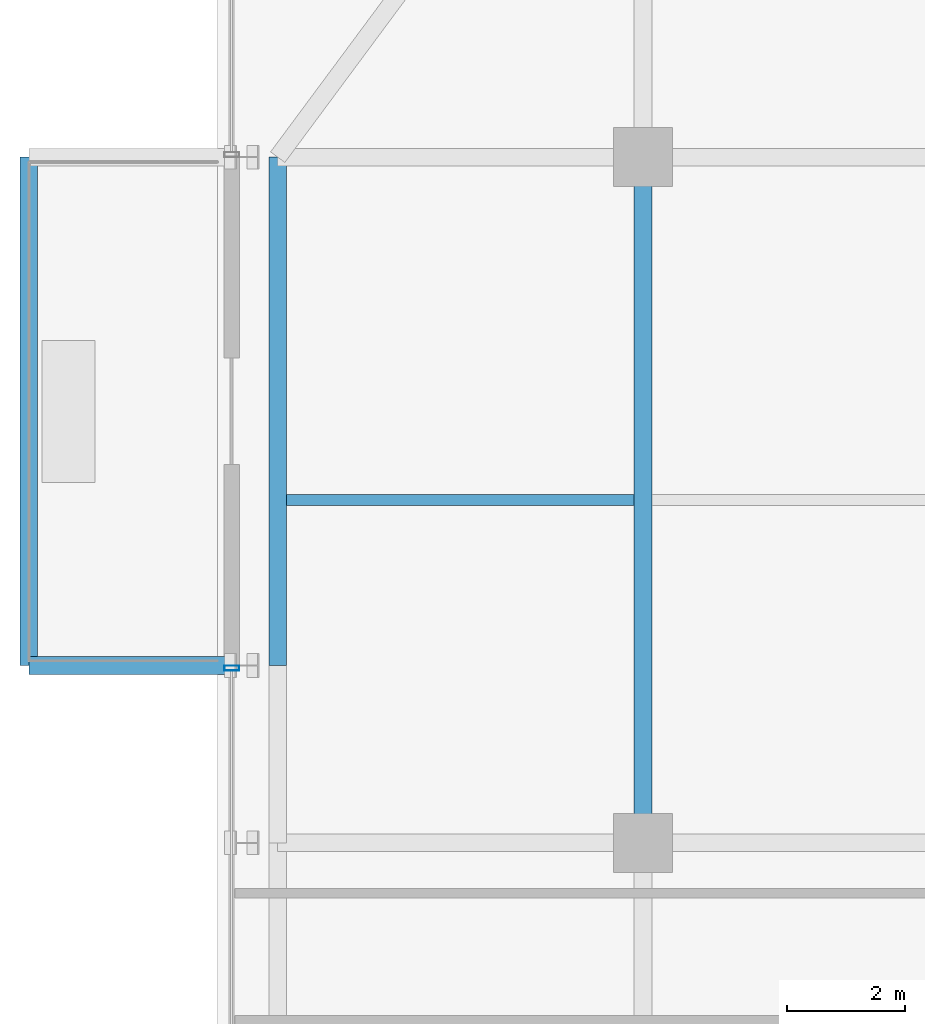
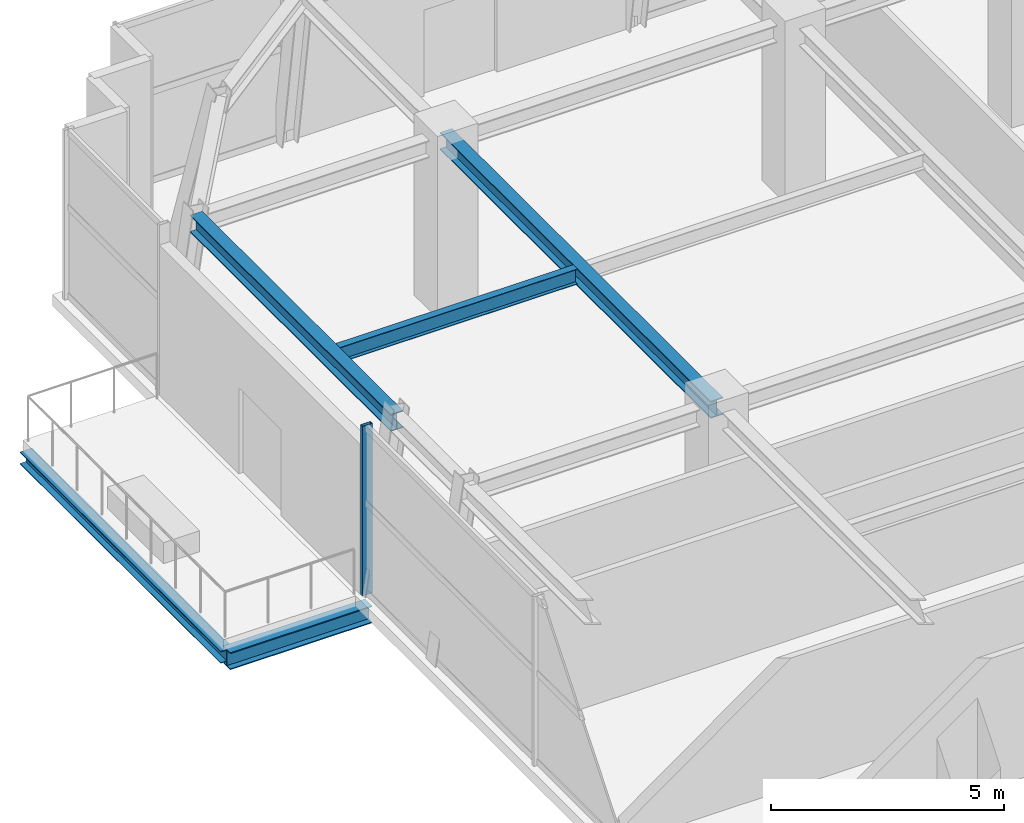
# One storey, part 13 of 28: 5 beams, 1 member, 1 element without a shape of its own.
"""IFC4 building model written with IfcOpenShell, lengths in metres."""

from ifc_helpers import new_model, si_unit, direction, frame, origin, origin_2d, place, context, subcontext, project, spatial, hollow_rectangle, i_section, extrude, source, transform, mapped, material, material_profile, profile_set, type_object, element, aggregate, save


model = new_model("IFC4")

# Units and contexts
model_context = context("Model", 3, precision=1e-05, world=origin(), true_north=direction((0.0, 1.0)))
body_context = subcontext(model_context, "Body", "Model", "MODEL_VIEW")
ifc_project = project(units=[si_unit("LENGTHUNIT", "METRE"), si_unit("AREAUNIT", "SQUARE_METRE"), si_unit("VOLUMEUNIT", "CUBIC_METRE"), si_unit("PLANEANGLEUNIT", "RADIAN"), si_unit("MASSUNIT", "GRAM", prefix="KILO")], contexts=[model_context])

# Site, building, storey
site_placement = place(None, origin())
site = spatial("IfcSite", under=ifc_project, at=site_placement, CompositionType="ELEMENT")
building_placement = place(site_placement, origin())
building = spatial("IfcBuilding", under=site, at=building_placement, Name="Nahalor Promenade Grand Hotel", CompositionType="ELEMENT")
storey_placement = place(building_placement, frame((0.0, 0.0, 256.699951171875)))
storey = spatial("IfcBuildingStorey", under=building, at=storey_placement, Name="L66", CompositionType="ELEMENT", Elevation=256.699951171875)

# Beams
ifc_material_1 = material(Name="Steel S355JR", Category="steel")
ifc_material_profile_1 = material_profile(ifc_material_1, i_section(OverallWidth=0.3, OverallDepth=0.32, WebThickness=0.0115, FlangeThickness=0.0205, at=origin_2d()), Name="HEB 320")
ifc_profile_set_1 = profile_set([ifc_material_profile_1], Name="Steel S355JR")
beam_type_1 = type_object("IfcBeamType", Name="Beam-BalcEdge-HEB320", PredefinedType="SPANDREL", material=ifc_profile_set_1)
shared_shape_1 = source(origin(), body_context, "Body", "SweptSolid", [
    extrude(i_section(OverallWidth=0.3, OverallDepth=0.32, WebThickness=0.0115, FlangeThickness=0.0205, at=origin_2d()), origin(), (0.0, 0.0, 1.0), 8.60009765625),
])
beam_1_placement = place(storey_placement, frame((-27.389892578125, 8.39990234375, -0.43994140625), z_axis=(0.0, 1.0, 0.0), x_axis=(-1.0, 0.0, 0.0)))
element("IfcBeam", 1, at=beam_1_placement, inside=storey, type_object=beam_type_1, Name="BM-L66-BC-02-F", PredefinedType="SPANDREL", context=body_context, shape_type="MappedRepresentation", body=[
    mapped(shared_shape_1, transform((0.0, 0.0, 0.0), scale=1.0)),
])
ifc_material_profile_2 = material_profile(ifc_material_1, i_section(OverallWidth=0.3, OverallDepth=0.45, WebThickness=0.014, FlangeThickness=0.026, at=origin_2d()), Name="HEB 450")
ifc_profile_set_2 = profile_set([ifc_material_profile_2], Name="Steel S355JR")
beam_type_2 = type_object("IfcBeamType", Name="Beam-Outrigger-HEB450", PredefinedType="BEAM", material=ifc_profile_set_2)
shared_shape_2 = source(origin(), body_context, "Body", "SweptSolid", [
    extrude(i_section(OverallWidth=0.3, OverallDepth=0.45, WebThickness=0.014, FlangeThickness=0.026, at=origin_2d()), origin(), (0.0, 0.0, 1.0), 3.510009765625),
])
beam_2_placement = place(storey_placement, frame((-27.389892578125, 8.39990234375, -0.5048828125), z_axis=(1.0, 0.0, 0.0), x_axis=(0.0, 1.0, 0.0)))
element("IfcBeam", 2, at=beam_2_placement, inside=storey, type_object=beam_type_2, Name="BM-L66-BC-02-1", PredefinedType="BEAM", context=body_context, shape_type="MappedRepresentation", body=[
    mapped(shared_shape_2, transform((0.0, 0.0, 0.0), scale=1.0)),
])
ifc_material_profile_3 = material_profile(ifc_material_1, i_section(OverallWidth=0.3, OverallDepth=0.45, WebThickness=0.014, FlangeThickness=0.026, at=origin_2d()), Name="HEB 450")
ifc_profile_set_3 = profile_set([ifc_material_profile_3], Name="Steel S355JR")
beam_type_3 = type_object("IfcBeamType", Name="Beam-Spandrel-HEB450", PredefinedType="SPANDREL", material=ifc_profile_set_3)
shared_shape_3 = source(origin(), body_context, "Body", "SweptSolid", [
    extrude(i_section(OverallWidth=0.3, OverallDepth=0.45, WebThickness=0.014, FlangeThickness=0.026, at=origin_2d()), origin(), (0.0, 0.0, 1.0), 8.60009765625),
])
beam_3_placement = place(storey_placement, frame((-23.179931640625, 8.39990234375, 4.215087890625), z_axis=(0.0, 1.0, 0.0), x_axis=(-1.0, 0.0, 0.0)))
element("IfcBeam", 3, at=beam_3_placement, inside=storey, type_object=beam_type_3, Name="BM-L66-SP-W-4", PredefinedType="SPANDREL", context=body_context, shape_type="MappedRepresentation", body=[
    mapped(shared_shape_3, transform((0.0, 0.0, 0.0), scale=1.0)),
])
ifc_material_profile_4 = material_profile(ifc_material_1, i_section(OverallWidth=0.3, OverallDepth=0.45, WebThickness=0.014, FlangeThickness=0.026, at=origin_2d()), Name="HEB 450")
ifc_profile_set_4 = profile_set([ifc_material_profile_4], Name="Steel S355JR")
beam_type_4 = type_object("IfcBeamType", Name="Beam-Girder-HEB450", PredefinedType="BEAM", material=ifc_profile_set_4)
shared_shape_4 = source(origin(), body_context, "Body", "SweptSolid", [
    extrude(i_section(OverallWidth=0.3, OverallDepth=0.45, WebThickness=0.014, FlangeThickness=0.026, at=origin_2d()), origin(), (0.0, 0.0, 1.0), 11.60009765625),
])
beam_4_placement = place(storey_placement, frame((-17.0, 5.39990234375, 4.215087890625), z_axis=(0.0, 1.0, 0.0), x_axis=(-1.0, 0.0, 0.0)))
element("IfcBeam", 4, at=beam_4_placement, inside=storey, type_object=beam_type_4, Name="BM-L66-GY-0-3", PredefinedType="BEAM", context=body_context, shape_type="MappedRepresentation", body=[
    mapped(shared_shape_4, transform((0.0, 0.0, 0.0), scale=1.0)),
])
ifc_material_profile_5 = material_profile(ifc_material_1, i_section(OverallWidth=0.18, OverallDepth=0.4, WebThickness=0.0086, FlangeThickness=0.0135, at=origin_2d()), Name="IPE 400")
ifc_profile_set_5 = profile_set([ifc_material_profile_5], Name="Steel S355JR")
beam_type_5 = type_object("IfcBeamType", Name="Beam-Joist-IPE400", PredefinedType="JOIST", material=ifc_profile_set_5)
shared_shape_5 = source(origin(), body_context, "Body", "SweptSolid", [
    extrude(i_section(OverallWidth=0.18, OverallDepth=0.4, WebThickness=0.0086, FlangeThickness=0.0135, at=origin_2d()), origin(), (0.0, 0.0, 1.0), 5.880126953125),
])
beam_5_placement = place(storey_placement, frame((-23.030029296875, 11.199951171875, 4.239990234375), z_axis=(1.0, 0.0, 0.0), x_axis=(0.0, 1.0, 0.0)))
element("IfcBeam", 5, at=beam_5_placement, inside=storey, type_object=beam_type_5, Name="BM-L66-JSW-1-0", PredefinedType="JOIST", context=body_context, shape_type="MappedRepresentation", body=[
    mapped(shared_shape_5, transform((0.0, 0.0, 0.0), scale=1.0)),
])

# Curtain wall, member
ifc_material_2 = material(Name="Anodised Bronze Aluminium EN AW-6063 T6", Category="aluminium")
curtain_wall_type = type_object("IfcCurtainWallType", Name="CW5 Sky-Lobby & Observation Panoramic Curtain Wall", PredefinedType="USERDEFINED", material=ifc_material_2)
curtain_wall_placement = place(storey_placement, origin())
curtain_wall = element("IfcCurtainWall", 6, at=curtain_wall_placement, inside=storey, type_object=curtain_wall_type, Name="L66 Curtain Wall CW-L66-W-1", ObjectType="UNITISED_CURTAIN_WALL", PredefinedType="USERDEFINED")
ifc_material_profile_6 = material_profile(ifc_material_2, hollow_rectangle(XDim=0.085, YDim=0.25, WallThickness=0.006, at=origin_2d()), Name="CWM 85x250x6")
ifc_profile_set_6 = profile_set([ifc_material_profile_6], Name="Anodised Bronze Aluminium EN AW-6063 T6")
member_type = type_object("IfcMemberType", Name="CWM5 Panoramic Deep Mullion 85x250", PredefinedType="MULLION", material=ifc_profile_set_6)
shared_shape_6 = source(origin(), body_context, "Body", "SweptSolid", [
    extrude(hollow_rectangle(XDim=0.085, YDim=0.25, WallThickness=0.006, at=origin_2d()), origin(), (0.0, 0.0, 1.0), 4.43994140625),
])
member_placement = place(storey_placement, frame((-23.9599609375, 8.357421875, 0.0), z_axis=(0.0, 0.0, 1.0), x_axis=(0.0, 1.0, 0.0)))
member = element("IfcMember", 7, at=member_placement, type_object=member_type, Name="CW-L66-W-1 Mullion 4", PredefinedType="MULLION", context=body_context, shape_type="MappedRepresentation", body=[
    mapped(shared_shape_6, transform((0.0, 0.0, 0.0), scale=1.0)),
])
aggregate(curtain_wall, [member])

save(model, "model.ifc")
